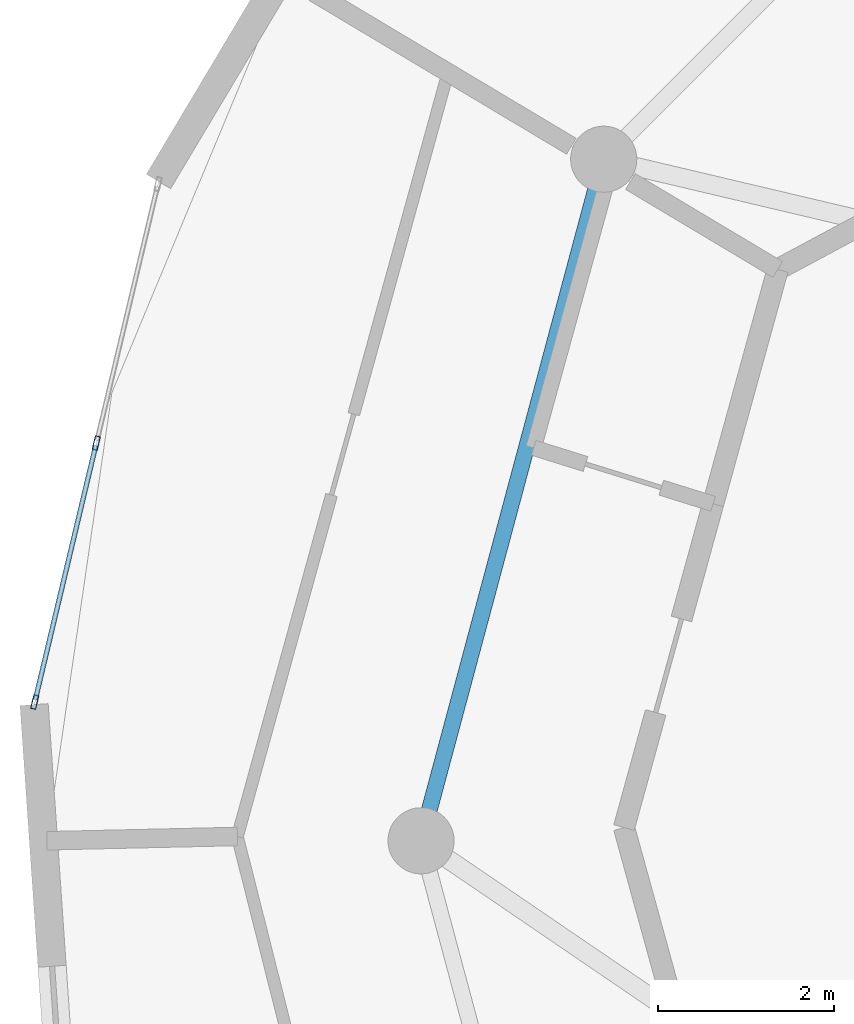
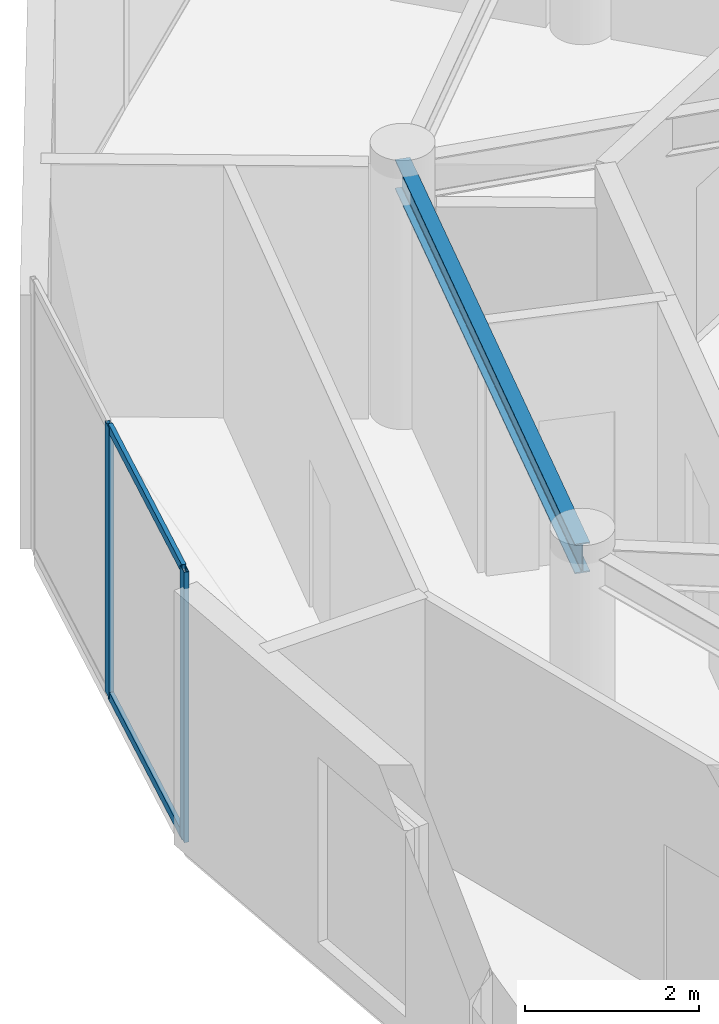
# One storey, part 7 of 22: 4 members, 1 beam, 1 element without a shape of its own.
"""IFC4 building model written with IfcOpenShell, lengths in metres."""

from ifc_helpers import new_model, si_unit, direction, frame, origin, origin_2d, place, context, subcontext, project, spatial, hollow_rectangle, i_section, extrude, source, transform, mapped, material, layer, layer_set, material_profile, profile_set, type_object, element, aggregate, save


model = new_model("IFC4")

# Units and contexts
model_context = context("Model", 3, precision=1e-05, world=origin(), true_north=direction((0.0, 1.0)))
body_context = subcontext(model_context, "Body", "Model", "MODEL_VIEW")
ifc_project = project(units=[si_unit("LENGTHUNIT", "METRE"), si_unit("AREAUNIT", "SQUARE_METRE"), si_unit("VOLUMEUNIT", "CUBIC_METRE"), si_unit("PLANEANGLEUNIT", "RADIAN"), si_unit("MASSUNIT", "GRAM", prefix="KILO")], contexts=[model_context])

# Site, building, storey
site_placement = place(None, origin())
site = spatial("IfcSite", under=ifc_project, at=site_placement, CompositionType="ELEMENT")
building_placement = place(site_placement, origin())
building = spatial("IfcBuilding", under=site, at=building_placement, Name="Solvirekh Grand Hotel", CompositionType="ELEMENT")
storey_placement = place(building_placement, frame((0.0, 0.0, 293.39990234375)))
storey = spatial("IfcBuildingStorey", under=building, at=storey_placement, Name="L76", CompositionType="ELEMENT", Elevation=293.39990234375)

# Beam
ifc_material_1 = material(Name="Steel S355", Category="steel")
ifc_material_profile_1 = material_profile(ifc_material_1, i_section(OverallWidth=0.180908203125, OverallDepth=0.4169921875, WebThickness=0.010009765625, FlangeThickness=0.01611328125, FilletRadius=0.011962890625, at=origin_2d()), Name="W410X85")
ifc_profile_set_1 = profile_set([ifc_material_profile_1], Name="Steel S355")
beam_type = type_object("IfcBeamType", Name="Spandrel_Ring_W410", PredefinedType="SPANDREL", material=ifc_profile_set_1)
beam_placement = place(storey_placement, frame((-13.3798828125, 7.72509765625, 3.362060546875), z_axis=(-0.258834757072, -0.965921616143, 0.0), x_axis=(0.965921616143, -0.258834757072, 0.0)))
element("IfcBeam", 1, at=beam_placement, inside=storey, type_object=beam_type, Name="L76 perimeter spandrel beam 6", PredefinedType="SPANDREL", context=body_context, shape_type="SweptSolid", body=[
    extrude(i_section(OverallWidth=0.180908203125, OverallDepth=0.4169921875, WebThickness=0.010009765625, FlangeThickness=0.01611328125, FilletRadius=0.011962890625, at=origin_2d()), origin(), (0.0, 0.0, 1.0), 7.99755859375),
])

# Curtain wall, members
ifc_material_2 = material(Name="Anodized Bronze Aluminium 6063-T6", Category="aluminium")
ifc_layer = layer(ifc_material_2, 0.159912109375)
ifc_layer_set = layer_set([ifc_layer], Name="Anodized Bronze Aluminium 6063-T6")
curtain_wall_type = type_object("IfcCurtainWallType", Name="CW_Sys4_HighZoneFlushBronzeCW", PredefinedType="NOTDEFINED", material=ifc_layer_set)
curtain_wall_placement = place(storey_placement, origin())
curtain_wall = element("IfcCurtainWall", 2, at=curtain_wall_placement, inside=storey, type_object=curtain_wall_type, Name="L76 unitised bronze-glass curtain wall CW-L76-C15", PredefinedType="NOTDEFINED")
ifc_material_profile_2 = material_profile(ifc_material_2, hollow_rectangle(XDim=0.06005859375, YDim=0.159912109375, WallThickness=0.0048828125, at=origin_2d()), Name="ALU RHS 160X60X5")
ifc_profile_set_2 = profile_set([ifc_material_profile_2], Name="Anodized Bronze Aluminium 6063-T6")
member_type_1 = type_object("IfcMemberType", Name="CWMullion_Sys4", PredefinedType="MULLION", material=ifc_profile_set_2)
shared_shape_1 = source(origin(), body_context, "Body", "SweptSolid", [
    extrude(hollow_rectangle(XDim=0.06005859375, YDim=0.159912109375, WallThickness=0.0048828125, at=origin_2d()), origin(), (0.0, 0.0, 1.0), 3.800048828125),
])
member_1_placement = place(storey_placement, frame((-19.131103515625, 4.508056640625, 0.0), z_axis=(0.0, 0.0, 1.0), x_axis=(0.972876581807, -0.2313247859, 0.0)))
member_1 = element("IfcMember", 3, at=member_1_placement, type_object=member_type_1, Name="U04 mullion 2", PredefinedType="MULLION", context=body_context, shape_type="MappedRepresentation", body=[
    mapped(shared_shape_1, transform((0.0, 0.0, 0.0), x_axis=(1.0, 0.0, 0.0), y_axis=(0.0, 1.0, 0.0), z_axis=(0.0, 0.0, 1.0), scale=1.0)),
])
member_2_placement = place(storey_placement, frame((-19.8291015625, 1.572265625, 0.0), z_axis=(0.0, 0.0, 1.0), x_axis=(0.972876581807, -0.2313247859, 0.0)))
member_2 = element("IfcMember", 4, at=member_2_placement, type_object=member_type_1, Name="U04 mullion 3", PredefinedType="MULLION", context=body_context, shape_type="MappedRepresentation", body=[
    mapped(shared_shape_1, transform((0.0, 0.0, 0.0), x_axis=(1.0, 0.0, 0.0), y_axis=(0.0, 1.0, 0.0), z_axis=(0.0, 0.0, 1.0), scale=1.0)),
])
ifc_material_profile_3 = material_profile(ifc_material_2, hollow_rectangle(XDim=0.054931640625, YDim=0.1201171875, WallThickness=0.00390625, at=origin_2d()), Name="ALU RHS 120X55X4")
ifc_profile_set_3 = profile_set([ifc_material_profile_3], Name="Anodized Bronze Aluminium 6063-T6")
member_type_2 = type_object("IfcMemberType", Name="CWTransom_Sys4", PredefinedType="USERDEFINED", material=ifc_profile_set_3)
shared_shape_2 = source(origin(), body_context, "Body", "SweptSolid", [
    extrude(hollow_rectangle(XDim=0.054931640625, YDim=0.1201171875, WallThickness=0.00390625, at=origin_2d()), origin(), (0.0, 0.0, 1.0), 2.95751953125),
])
member_3_placement = place(storey_placement, frame((-19.137939453125, 4.478759765625, 0.027587890625), z_axis=(-0.231293165418, -0.972884099793, 0.0), x_axis=(0.972884099793, -0.231293165418, 0.0)))
member_3 = element("IfcMember", 5, at=member_3_placement, type_object=member_type_2, Name="U04 transom 2.1", ObjectType="TRANSOM", PredefinedType="USERDEFINED", context=body_context, shape_type="MappedRepresentation", body=[
    mapped(shared_shape_2, transform((0.0, 0.0, 0.0), x_axis=(1.0, 0.0, 0.0), y_axis=(0.0, 1.0, 0.0), z_axis=(0.0, 0.0, 1.0), scale=1.0)),
])
member_4_placement = place(storey_placement, frame((-19.137939453125, 4.478759765625, 3.772705078125), z_axis=(-0.231293165418, -0.972884099793, 0.0), x_axis=(0.972884099793, -0.231293165418, 0.0)))
member_4 = element("IfcMember", 6, at=member_4_placement, type_object=member_type_2, Name="U04 transom 2.2", ObjectType="TRANSOM", PredefinedType="USERDEFINED", context=body_context, shape_type="MappedRepresentation", body=[
    mapped(shared_shape_2, transform((0.0, 0.0, 0.0), x_axis=(1.0, 0.0, 0.0), y_axis=(0.0, 1.0, 0.0), z_axis=(0.0, 0.0, 1.0), scale=1.0)),
])
aggregate(curtain_wall, [member_1, member_2, member_3, member_4])

save(model, "model.ifc")
